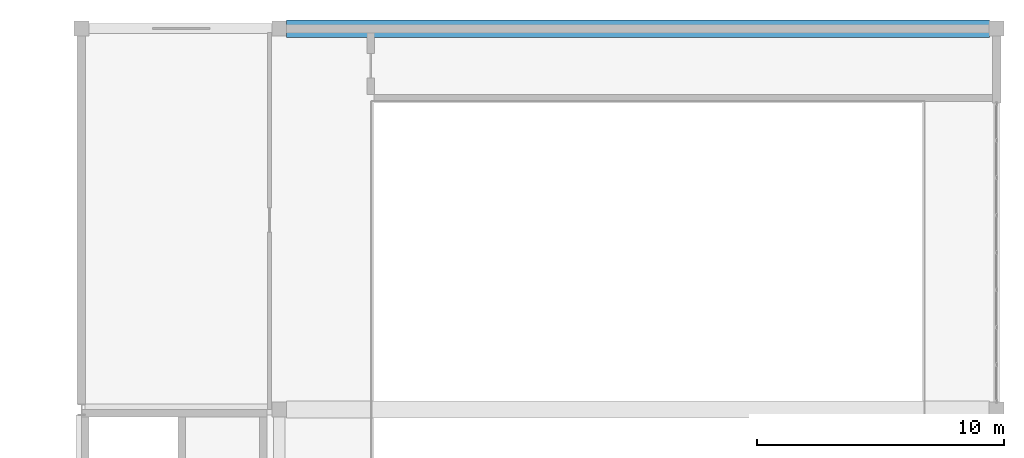
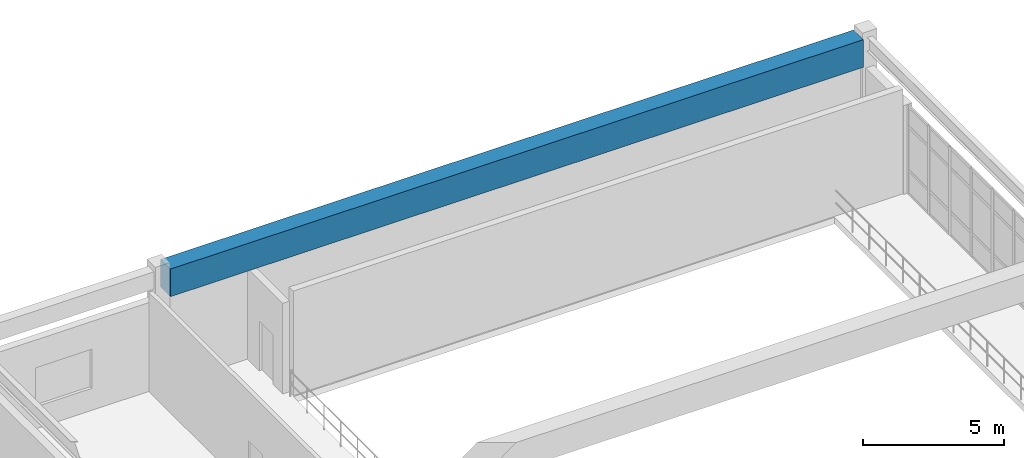
# One storey, part 16 of 38: 1 beam.
"""IFC4 building model written with IfcOpenShell, lengths in metres."""

from ifc_helpers import new_model, si_unit, direction, frame, origin, origin_2d, place, context, subcontext, project, spatial, rectangle, extrude, material, material_profile, profile_set, type_object, element, save


model = new_model("IFC4")

# Units and contexts
model_context = context("Model", 3, precision=1e-05, world=origin(), true_north=direction((0.0, 1.0)))
body_context = subcontext(model_context, "Body", "Model", "MODEL_VIEW")
ifc_project = project(units=[si_unit("LENGTHUNIT", "METRE"), si_unit("AREAUNIT", "SQUARE_METRE"), si_unit("VOLUMEUNIT", "CUBIC_METRE"), si_unit("PLANEANGLEUNIT", "RADIAN"), si_unit("MASSUNIT", "GRAM", prefix="KILO")], contexts=[model_context])

# Site, building, storey
site_placement = place(None, origin())
site = spatial("IfcSite", under=ifc_project, at=site_placement, CompositionType="ELEMENT")
building_placement = place(site_placement, origin())
building = spatial("IfcBuilding", under=site, at=building_placement, Name="Muzn Square Opera House", CompositionType="ELEMENT")
storey_placement = place(building_placement, frame((0.0, 0.0, 18.0)))
storey = spatial("IfcBuildingStorey", under=building, at=storey_placement, Name="L04", CompositionType="ELEMENT", Elevation=18.0)

# Beam
ifc_material = material(Name="Concrete C40/50", Category="concrete")
ifc_material_profile = material_profile(ifc_material, rectangle(XDim=0.699951171875, YDim=1.199951171875, at=origin_2d()), Name="RCB 700x1200", Category="concrete")
ifc_profile_set = profile_set([ifc_material_profile], Name="Concrete C40/50")
beam_type = type_object("IfcBeamType", Name="Primary Girder 700x1200", PredefinedType="BEAM", material=ifc_profile_set)
beam_placement = place(storey_placement, frame((141.2919921875, 114.0, 4.550048828125), z_axis=(1.0, 0.0, 0.0), x_axis=(0.0, 1.0, 0.0)))
element("IfcBeam", 1, at=beam_placement, inside=storey, type_object=beam_type, Name="Spandrel Beam BM-N114-L04-026", PredefinedType="BEAM", context=body_context, shape_type="SweptSolid", body=[
    extrude(rectangle(XDim=0.699951171875, YDim=1.199951171875, at=origin_2d()), origin(), (0.0, 0.0, 1.0), 28.416015625),
])

save(model, "model.ifc")
